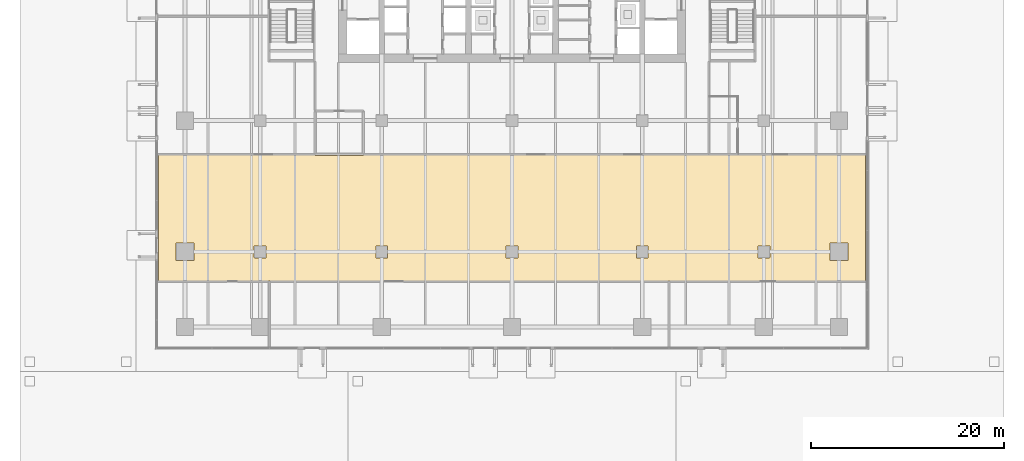
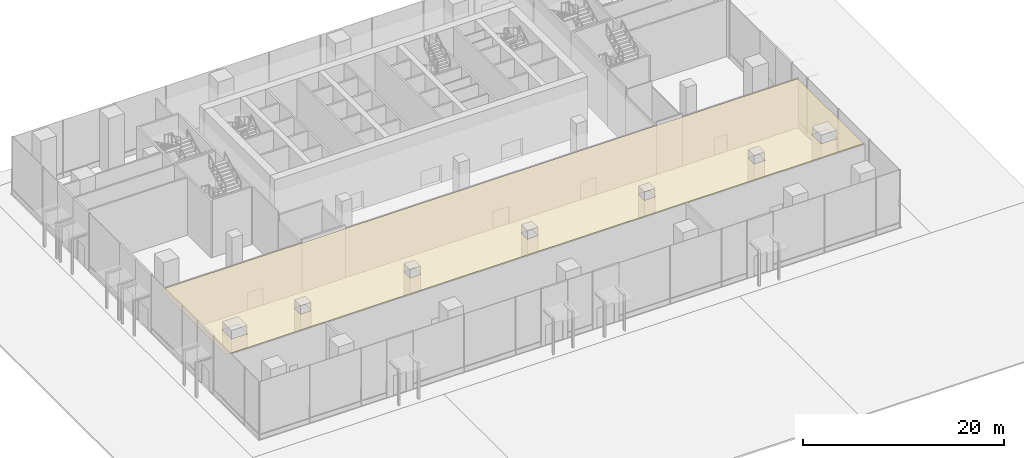
# One storey, part 36 of 41: 1 covering.
"""IFC4 building model written with IfcOpenShell, lengths in metres."""

from ifc_helpers import new_model, si_unit, direction, frame, origin, place, context, subcontext, project, spatial, polyline, outline, extrude, material, layer, layer_set, type_object, element, save


model = new_model("IFC4")

# Units and contexts
model_context = context("Model", 3, precision=1e-05, world=origin(), true_north=direction((0.0, 1.0)))
body_context = subcontext(model_context, "Body", "Model", "MODEL_VIEW")
ifc_project = project(units=[si_unit("LENGTHUNIT", "METRE"), si_unit("AREAUNIT", "SQUARE_METRE"), si_unit("VOLUMEUNIT", "CUBIC_METRE"), si_unit("PLANEANGLEUNIT", "RADIAN"), si_unit("MASSUNIT", "GRAM", prefix="KILO")], contexts=[model_context])

# Site, building, storey
site_placement = place(None, origin())
site = spatial("IfcSite", under=ifc_project, at=site_placement, CompositionType="ELEMENT")
building_placement = place(site_placement, origin())
building = spatial("IfcBuilding", under=site, at=building_placement, Name="Rattan Terrace Tower", CompositionType="ELEMENT")
storey_placement = place(building_placement, origin())
storey = spatial("IfcBuildingStorey", under=building, at=storey_placement, Name="L00", CompositionType="ELEMENT", Elevation=0.0)

# Covering
ifc_material = material(Name="Gypsum board, painted")
ifc_layer = layer(ifc_material, 0.02490234375)
ifc_layer_set = layer_set([ifc_layer], Name="Suspended Ceiling Gypsum 25")
covering_type = type_object("IfcCoveringType", Name="Suspended Ceiling Gypsum 25", PredefinedType="CEILING", material=ifc_layer_set)
covering_placement = place(storey_placement, frame((0.0, 0.0, 5.97509765625)))
element("IfcCovering", 1, at=covering_placement, inside=storey, type_object=covering_type, Name="Ceiling L00-103", PredefinedType="CEILING", context=body_context, shape_type="SweptSolid", body=[
    extrude(outline(polyline([(-20.39990234375, -17.074951171875), (-36.659912109375, -17.074951171875), (-36.659912109375, -30.125), (36.659912109375, -30.125), (36.659912109375, -17.074951171875), (-15.39990234375, -17.074951171875), (-15.39990234375, -17.10009765625), (-20.39990234375, -17.10009765625), (-20.39990234375, -17.074951171875)]), holes=[polyline([(34.80810546875, -26.180908203125), (34.805908203125, -26.180908203125), (34.803955078125, -26.179931640625), (34.802001953125, -26.179931640625), (34.800048828125, -26.179931640625), (33.0, -26.179931640625), (32.998046875, -26.179931640625), (32.99609375, -26.179931640625), (32.993896484375, -26.180908203125), (32.991943359375, -26.180908203125), (32.989990234375, -26.181884765625), (32.989013671875, -26.18310546875), (32.987060546875, -26.18408203125), (32.986083984375, -26.18603515625), (32.98388671875, -26.18701171875), (32.98291015625, -26.18896484375), (32.98193359375, -26.18994140625), (32.98095703125, -26.19189453125), (32.98095703125, -26.194091796875), (32.97998046875, -26.196044921875), (32.97998046875, -26.197998046875), (32.97998046875, -26.199951171875), (32.97998046875, -28.0), (32.97998046875, -28.001953125), (32.97998046875, -28.00390625), (32.98095703125, -28.006103515625), (32.98095703125, -28.008056640625), (32.98193359375, -28.010009765625), (32.98291015625, -28.010986328125), (32.98388671875, -28.012939453125), (32.986083984375, -28.013916015625), (32.987060546875, -28.01611328125), (32.989013671875, -28.01708984375), (32.989990234375, -28.01806640625), (32.991943359375, -28.01904296875), (32.993896484375, -28.01904296875), (32.99609375, -28.02001953125), (32.998046875, -28.02001953125), (33.0, -28.02001953125), (34.800048828125, -28.02001953125), (34.802001953125, -28.02001953125), (34.803955078125, -28.02001953125), (34.805908203125, -28.01904296875), (34.80810546875, -28.01904296875), (34.81005859375, -28.01806640625), (34.81103515625, -28.01708984375), (34.81298828125, -28.01611328125), (34.81396484375, -28.013916015625), (34.81591796875, -28.012939453125), (34.81689453125, -28.010986328125), (34.818115234375, -28.010009765625), (34.819091796875, -28.008056640625), (34.819091796875, -28.006103515625), (34.820068359375, -28.00390625), (34.820068359375, -28.001953125), (34.820068359375, -28.0), (34.820068359375, -26.199951171875), (34.820068359375, -26.197998046875), (34.820068359375, -26.196044921875), (34.819091796875, -26.194091796875), (34.819091796875, -26.19189453125), (34.818115234375, -26.18994140625), (34.81689453125, -26.18896484375), (34.81591796875, -26.18701171875), (34.81396484375, -26.18603515625), (34.81298828125, -26.18408203125), (34.81103515625, -26.18310546875), (34.81005859375, -26.181884765625), (34.80810546875, -26.180908203125)]), polyline([(26.718994140625, -27.7060546875), (26.719970703125, -27.7041015625), (26.719970703125, -27.701904296875), (26.719970703125, -27.699951171875), (26.719970703125, -26.5), (26.719970703125, -26.498046875), (26.719970703125, -26.49609375), (26.718994140625, -26.493896484375), (26.718994140625, -26.491943359375), (26.718017578125, -26.489990234375), (26.717041015625, -26.489013671875), (26.716064453125, -26.487060546875), (26.714111328125, -26.486083984375), (26.712890625, -26.48388671875), (26.7109375, -26.48291015625), (26.7099609375, -26.48193359375), (26.7080078125, -26.48095703125), (26.7060546875, -26.48095703125), (26.7041015625, -26.47998046875), (26.701904296875, -26.47998046875), (26.699951171875, -26.47998046875), (25.5, -26.47998046875), (25.498046875, -26.47998046875), (25.49609375, -26.47998046875), (25.493896484375, -26.48095703125), (25.491943359375, -26.48095703125), (25.489990234375, -26.48193359375), (25.489013671875, -26.48291015625), (25.487060546875, -26.48388671875), (25.486083984375, -26.486083984375), (25.48388671875, -26.487060546875), (25.48291015625, -26.489013671875), (25.48193359375, -26.489990234375), (25.48095703125, -26.491943359375), (25.48095703125, -26.493896484375), (25.47998046875, -26.49609375), (25.47998046875, -26.498046875), (25.47998046875, -26.5), (25.47998046875, -27.699951171875), (25.47998046875, -27.701904296875), (25.47998046875, -27.7041015625), (25.48095703125, -27.7060546875), (25.48095703125, -27.7080078125), (25.48193359375, -27.7099609375), (25.48291015625, -27.7109375), (25.48388671875, -27.712890625), (25.486083984375, -27.714111328125), (25.487060546875, -27.716064453125), (25.489013671875, -27.717041015625), (25.489990234375, -27.718017578125), (25.491943359375, -27.718994140625), (25.493896484375, -27.718994140625), (25.49609375, -27.719970703125), (25.498046875, -27.719970703125), (25.5, -27.719970703125), (26.699951171875, -27.719970703125), (26.701904296875, -27.719970703125), (26.7041015625, -27.719970703125), (26.7060546875, -27.718994140625), (26.7080078125, -27.718994140625), (26.7099609375, -27.718017578125), (26.7109375, -27.717041015625), (26.712890625, -27.716064453125), (26.714111328125, -27.714111328125), (26.716064453125, -27.712890625), (26.717041015625, -27.7109375), (26.718017578125, -27.7099609375), (26.718994140625, -27.7080078125), (26.718994140625, -27.7060546875)]), polyline([(14.1201171875, -27.701904296875), (14.1201171875, -27.699951171875), (14.1201171875, -26.5), (14.1201171875, -26.498046875), (14.1201171875, -26.49609375), (14.118896484375, -26.493896484375), (14.118896484375, -26.491943359375), (14.117919921875, -26.489990234375), (14.116943359375, -26.489013671875), (14.115966796875, -26.487060546875), (14.114013671875, -26.486083984375), (14.113037109375, -26.48388671875), (14.111083984375, -26.48291015625), (14.110107421875, -26.48193359375), (14.10791015625, -26.48095703125), (14.10595703125, -26.48095703125), (14.10400390625, -26.47998046875), (14.10205078125, -26.47998046875), (14.10009765625, -26.47998046875), (12.89990234375, -26.47998046875), (12.89794921875, -26.47998046875), (12.89599609375, -26.47998046875), (12.89404296875, -26.48095703125), (12.89208984375, -26.48095703125), (12.889892578125, -26.48193359375), (12.888916015625, -26.48291015625), (12.886962890625, -26.48388671875), (12.885986328125, -26.486083984375), (12.884033203125, -26.487060546875), (12.883056640625, -26.489013671875), (12.882080078125, -26.489990234375), (12.881103515625, -26.491943359375), (12.881103515625, -26.493896484375), (12.8798828125, -26.49609375), (12.8798828125, -26.498046875), (12.8798828125, -26.5), (12.8798828125, -27.699951171875), (12.8798828125, -27.701904296875), (12.8798828125, -27.7041015625), (12.881103515625, -27.7060546875), (12.881103515625, -27.7080078125), (12.882080078125, -27.7099609375), (12.883056640625, -27.7109375), (12.884033203125, -27.712890625), (12.885986328125, -27.714111328125), (12.886962890625, -27.716064453125), (12.888916015625, -27.717041015625), (12.889892578125, -27.718017578125), (12.89208984375, -27.718994140625), (12.89404296875, -27.718994140625), (12.89599609375, -27.719970703125), (12.89794921875, -27.719970703125), (12.89990234375, -27.719970703125), (14.10009765625, -27.719970703125), (14.10205078125, -27.719970703125), (14.10400390625, -27.719970703125), (14.10595703125, -27.718994140625), (14.10791015625, -27.718994140625), (14.110107421875, -27.718017578125), (14.111083984375, -27.717041015625), (14.113037109375, -27.716064453125), (14.114013671875, -27.714111328125), (14.115966796875, -27.712890625), (14.116943359375, -27.7109375), (14.117919921875, -27.7099609375), (14.118896484375, -27.7080078125), (14.118896484375, -27.7060546875), (14.1201171875, -27.7041015625), (14.1201171875, -27.701904296875)]), polyline([(0.6201171875, -27.701904296875), (0.6201171875, -27.699951171875), (0.6201171875, -26.5), (0.6201171875, -26.498046875), (0.6201171875, -26.49609375), (0.618896484375, -26.493896484375), (0.618896484375, -26.491943359375), (0.617919921875, -26.489990234375), (0.616943359375, -26.489013671875), (0.615966796875, -26.487060546875), (0.614013671875, -26.486083984375), (0.613037109375, -26.48388671875), (0.611083984375, -26.48291015625), (0.610107421875, -26.48193359375), (0.60791015625, -26.48095703125), (0.60595703125, -26.48095703125), (0.60400390625, -26.47998046875), (0.60205078125, -26.47998046875), (0.60009765625, -26.47998046875), (-0.60009765625, -26.47998046875), (-0.60205078125, -26.47998046875), (-0.60400390625, -26.47998046875), (-0.60595703125, -26.48095703125), (-0.60791015625, -26.48095703125), (-0.610107421875, -26.48193359375), (-0.611083984375, -26.48291015625), (-0.613037109375, -26.48388671875), (-0.614013671875, -26.486083984375), (-0.615966796875, -26.487060546875), (-0.616943359375, -26.489013671875), (-0.617919921875, -26.489990234375), (-0.618896484375, -26.491943359375), (-0.618896484375, -26.493896484375), (-0.6201171875, -26.49609375), (-0.6201171875, -26.498046875), (-0.6201171875, -26.5), (-0.6201171875, -27.699951171875), (-0.6201171875, -27.701904296875), (-0.6201171875, -27.7041015625), (-0.618896484375, -27.7060546875), (-0.618896484375, -27.7080078125), (-0.617919921875, -27.7099609375), (-0.616943359375, -27.7109375), (-0.615966796875, -27.712890625), (-0.614013671875, -27.714111328125), (-0.613037109375, -27.716064453125), (-0.611083984375, -27.717041015625), (-0.610107421875, -27.718017578125), (-0.60791015625, -27.718994140625), (-0.60595703125, -27.718994140625), (-0.60400390625, -27.719970703125), (-0.60205078125, -27.719970703125), (-0.60009765625, -27.719970703125), (0.60009765625, -27.719970703125), (0.60205078125, -27.719970703125), (0.60400390625, -27.719970703125), (0.60595703125, -27.718994140625), (0.60791015625, -27.718994140625), (0.610107421875, -27.718017578125), (0.611083984375, -27.717041015625), (0.613037109375, -27.716064453125), (0.614013671875, -27.714111328125), (0.615966796875, -27.712890625), (0.616943359375, -27.7109375), (0.617919921875, -27.7099609375), (0.618896484375, -27.7080078125), (0.618896484375, -27.7060546875), (0.6201171875, -27.7041015625), (0.6201171875, -27.701904296875)]), polyline([(-12.8798828125, -27.699951171875), (-12.8798828125, -26.5), (-12.8798828125, -26.498046875), (-12.8798828125, -26.49609375), (-12.881103515625, -26.493896484375), (-12.881103515625, -26.491943359375), (-12.882080078125, -26.489990234375), (-12.883056640625, -26.489013671875), (-12.884033203125, -26.487060546875), (-12.885986328125, -26.486083984375), (-12.886962890625, -26.48388671875), (-12.888916015625, -26.48291015625), (-12.889892578125, -26.48193359375), (-12.89208984375, -26.48095703125), (-12.89404296875, -26.48095703125), (-12.89599609375, -26.47998046875), (-12.89794921875, -26.47998046875), (-12.89990234375, -26.47998046875), (-14.10009765625, -26.47998046875), (-14.10205078125, -26.47998046875), (-14.10400390625, -26.47998046875), (-14.10595703125, -26.48095703125), (-14.10791015625, -26.48095703125), (-14.110107421875, -26.48193359375), (-14.111083984375, -26.48291015625), (-14.113037109375, -26.48388671875), (-14.114013671875, -26.486083984375), (-14.115966796875, -26.487060546875), (-14.116943359375, -26.489013671875), (-14.117919921875, -26.489990234375), (-14.118896484375, -26.491943359375), (-14.118896484375, -26.493896484375), (-14.1201171875, -26.49609375), (-14.1201171875, -26.498046875), (-14.1201171875, -26.5), (-14.1201171875, -27.699951171875), (-14.1201171875, -27.701904296875), (-14.1201171875, -27.7041015625), (-14.118896484375, -27.7060546875), (-14.118896484375, -27.7080078125), (-14.117919921875, -27.7099609375), (-14.116943359375, -27.7109375), (-14.115966796875, -27.712890625), (-14.114013671875, -27.714111328125), (-14.113037109375, -27.716064453125), (-14.111083984375, -27.717041015625), (-14.110107421875, -27.718017578125), (-14.10791015625, -27.718994140625), (-14.10595703125, -27.718994140625), (-14.10400390625, -27.719970703125), (-14.10205078125, -27.719970703125), (-14.10009765625, -27.719970703125), (-12.89990234375, -27.719970703125), (-12.89794921875, -27.719970703125), (-12.89599609375, -27.719970703125), (-12.89404296875, -27.718994140625), (-12.89208984375, -27.718994140625), (-12.889892578125, -27.718017578125), (-12.888916015625, -27.717041015625), (-12.886962890625, -27.716064453125), (-12.885986328125, -27.714111328125), (-12.884033203125, -27.712890625), (-12.883056640625, -27.7109375), (-12.882080078125, -27.7099609375), (-12.881103515625, -27.7080078125), (-12.881103515625, -27.7060546875), (-12.8798828125, -27.7041015625), (-12.8798828125, -27.701904296875), (-12.8798828125, -27.699951171875)]), polyline([(-25.47998046875, -27.699951171875), (-25.47998046875, -26.5), (-25.47998046875, -26.498046875), (-25.47998046875, -26.49609375), (-25.48095703125, -26.493896484375), (-25.48095703125, -26.491943359375), (-25.48193359375, -26.489990234375), (-25.48291015625, -26.489013671875), (-25.48388671875, -26.487060546875), (-25.486083984375, -26.486083984375), (-25.487060546875, -26.48388671875), (-25.489013671875, -26.48291015625), (-25.489990234375, -26.48193359375), (-25.491943359375, -26.48095703125), (-25.493896484375, -26.48095703125), (-25.49609375, -26.47998046875), (-25.498046875, -26.47998046875), (-25.5, -26.47998046875), (-26.699951171875, -26.47998046875), (-26.701904296875, -26.47998046875), (-26.7041015625, -26.47998046875), (-26.7060546875, -26.48095703125), (-26.7080078125, -26.48095703125), (-26.7099609375, -26.48193359375), (-26.7109375, -26.48291015625), (-26.712890625, -26.48388671875), (-26.714111328125, -26.486083984375), (-26.716064453125, -26.487060546875), (-26.717041015625, -26.489013671875), (-26.718017578125, -26.489990234375), (-26.718994140625, -26.491943359375), (-26.718994140625, -26.493896484375), (-26.719970703125, -26.49609375), (-26.719970703125, -26.498046875), (-26.719970703125, -26.5), (-26.719970703125, -27.699951171875), (-26.719970703125, -27.701904296875), (-26.719970703125, -27.7041015625), (-26.718994140625, -27.7060546875), (-26.718994140625, -27.7080078125), (-26.718017578125, -27.7099609375), (-26.717041015625, -27.7109375), (-26.716064453125, -27.712890625), (-26.714111328125, -27.714111328125), (-26.712890625, -27.716064453125), (-26.7109375, -27.717041015625), (-26.7099609375, -27.718017578125), (-26.7080078125, -27.718994140625), (-26.7060546875, -27.718994140625), (-26.7041015625, -27.719970703125), (-26.701904296875, -27.719970703125), (-26.699951171875, -27.719970703125), (-25.5, -27.719970703125), (-25.498046875, -27.719970703125), (-25.49609375, -27.719970703125), (-25.493896484375, -27.718994140625), (-25.491943359375, -27.718994140625), (-25.489990234375, -27.718017578125), (-25.489013671875, -27.717041015625), (-25.487060546875, -27.716064453125), (-25.486083984375, -27.714111328125), (-25.48388671875, -27.712890625), (-25.48291015625, -27.7109375), (-25.48193359375, -27.7099609375), (-25.48095703125, -27.7080078125), (-25.48095703125, -27.7060546875), (-25.47998046875, -27.7041015625), (-25.47998046875, -27.701904296875), (-25.47998046875, -27.699951171875)]), polyline([(-33.0, -26.179931640625), (-34.800048828125, -26.179931640625), (-34.802001953125, -26.179931640625), (-34.803955078125, -26.179931640625), (-34.805908203125, -26.180908203125), (-34.80810546875, -26.180908203125), (-34.81005859375, -26.181884765625), (-34.81103515625, -26.18310546875), (-34.81298828125, -26.18408203125), (-34.81396484375, -26.18603515625), (-34.81591796875, -26.18701171875), (-34.81689453125, -26.18896484375), (-34.818115234375, -26.18994140625), (-34.819091796875, -26.19189453125), (-34.819091796875, -26.194091796875), (-34.820068359375, -26.196044921875), (-34.820068359375, -26.197998046875), (-34.820068359375, -26.199951171875), (-34.820068359375, -28.0), (-34.820068359375, -28.001953125), (-34.820068359375, -28.00390625), (-34.819091796875, -28.006103515625), (-34.819091796875, -28.008056640625), (-34.818115234375, -28.010009765625), (-34.81689453125, -28.010986328125), (-34.81591796875, -28.012939453125), (-34.81396484375, -28.013916015625), (-34.81298828125, -28.01611328125), (-34.81103515625, -28.01708984375), (-34.81005859375, -28.01806640625), (-34.80810546875, -28.01904296875), (-34.805908203125, -28.01904296875), (-34.803955078125, -28.02001953125), (-34.802001953125, -28.02001953125), (-34.800048828125, -28.02001953125), (-33.0, -28.02001953125), (-32.998046875, -28.02001953125), (-32.99609375, -28.02001953125), (-32.993896484375, -28.01904296875), (-32.991943359375, -28.01904296875), (-32.989990234375, -28.01806640625), (-32.989013671875, -28.01708984375), (-32.987060546875, -28.01611328125), (-32.986083984375, -28.013916015625), (-32.98388671875, -28.012939453125), (-32.98291015625, -28.010986328125), (-32.98193359375, -28.010009765625), (-32.98095703125, -28.008056640625), (-32.98095703125, -28.006103515625), (-32.97998046875, -28.00390625), (-32.97998046875, -28.001953125), (-32.97998046875, -28.0), (-32.97998046875, -26.199951171875), (-32.97998046875, -26.197998046875), (-32.97998046875, -26.196044921875), (-32.98095703125, -26.194091796875), (-32.98095703125, -26.19189453125), (-32.98193359375, -26.18994140625), (-32.98291015625, -26.18896484375), (-32.98388671875, -26.18701171875), (-32.986083984375, -26.18603515625), (-32.987060546875, -26.18408203125), (-32.989013671875, -26.18310546875), (-32.989990234375, -26.181884765625), (-32.991943359375, -26.180908203125), (-32.993896484375, -26.180908203125), (-32.99609375, -26.179931640625), (-32.998046875, -26.179931640625), (-33.0, -26.179931640625)])]), origin(), (0.0, 0.0, 1.0), 0.02490234375),
])

save(model, "model.ifc")
